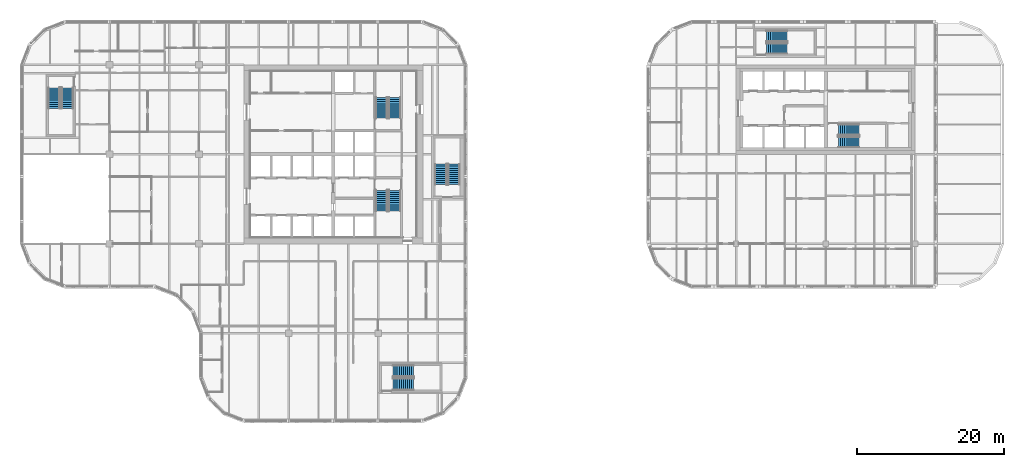
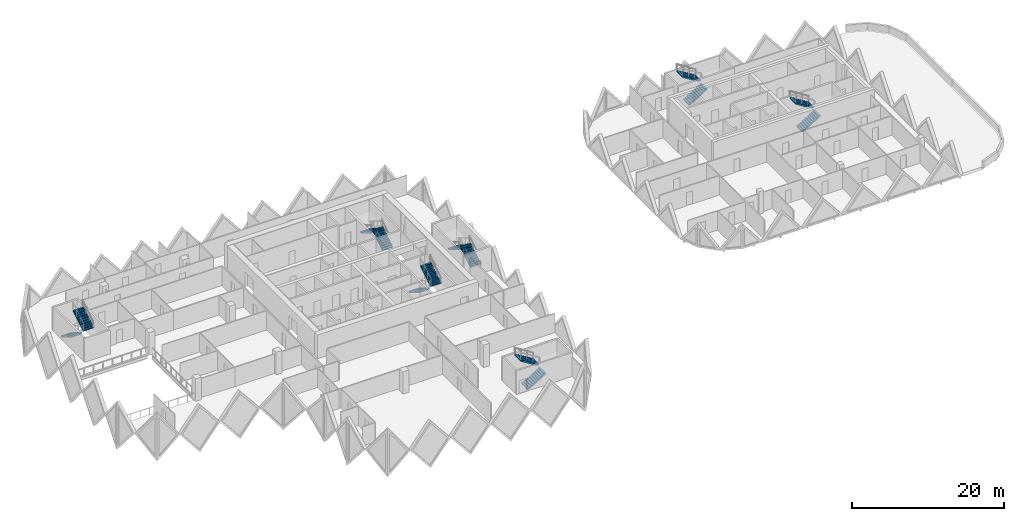
# One storey, part 16 of 18: 14 stair flights, 7 elements without a shape of their own.
"""IFC4 building model written with IfcOpenShell, lengths in metres."""

from ifc_helpers import new_model, si_unit, direction, frame, origin, place, context, subcontext, project, spatial, polyline, outline, extrude, material, type_object, element, aggregate, save


model = new_model("IFC4")

# Units and contexts
model_context = context("Model", 3, precision=1e-05, world=origin(), true_north=direction((0.0, 1.0)))
body_context = subcontext(model_context, "Body", "Model", "MODEL_VIEW")
ifc_project = project(units=[si_unit("LENGTHUNIT", "METRE"), si_unit("AREAUNIT", "SQUARE_METRE"), si_unit("VOLUMEUNIT", "CUBIC_METRE"), si_unit("PLANEANGLEUNIT", "RADIAN"), si_unit("MASSUNIT", "GRAM", prefix="KILO")], contexts=[model_context])

# Site, building, storey
site_placement = place(None, origin())
site = spatial("IfcSite", under=ifc_project, at=site_placement, CompositionType="ELEMENT")
building_placement = place(site_placement, origin())
building = spatial("IfcBuilding", under=site, at=building_placement, Name="Tessera Gate Towers", CompositionType="ELEMENT")
storey_placement = place(building_placement, frame((0.0, 0.0, 95.199951171875)))
storey = spatial("IfcBuildingStorey", under=building, at=storey_placement, Name="L23", CompositionType="ELEMENT", Elevation=95.199951171875)

# Stair, stair flights
ifc_material_1 = material(Name="Concrete C40/50", Category="concrete")
stair_type_1 = type_object("IfcStairType", Name="EXIT STAIR ST1 1600", PredefinedType="HALF_TURN_STAIR", material=ifc_material_1)
stair_1_placement = place(storey_placement, origin())
stair_1 = element("IfcStair", 1, at=stair_1_placement, inside=storey, type_object=stair_type_1, Name="L23 Protected Exit Stair ST1", PredefinedType="HALF_TURN_STAIR")
ifc_material_2 = material(Name="Concrete C40/50", Category="concrete")
stair_flight_type_1 = type_object("IfcStairFlightType", Name="EXIT STAIR FLIGHT ST1 1600", PredefinedType="STRAIGHT", material=ifc_material_2)
stair_flight_1_placement = place(storey_placement, frame((49.27490234375, 31.675048828125, 0.0), z_axis=(0.0, 0.0, 1.0), x_axis=(0.0, -1.0, 0.0)))
stair_flight_1 = element("IfcStairFlight", 2, at=stair_flight_1_placement, type_object=stair_flight_type_1, Name="ST1 flight 1", NumberOfRisers=11, NumberOfTreads=10, PredefinedType="STRAIGHT", RiserHeight=0.172727273, TreadLength=0.28, context=body_context, shape_type="SweptSolid", body=[
    extrude(outline(polyline([(0.0, 0.0), (0.0, 0.172607421875), (0.280029296875, 0.172607421875), (0.280029296875, 0.345458984375), (0.56005859375, 0.345458984375), (0.56005859375, 0.51806640625), (0.840087890625, 0.51806640625), (0.840087890625, 0.69091796875), (1.1201171875, 0.69091796875), (1.1201171875, 0.863525390625), (1.39990234375, 0.863525390625), (1.39990234375, 1.036376953125), (1.679931640625, 1.036376953125), (1.679931640625, 1.208984375), (1.9599609375, 1.208984375), (1.9599609375, 1.3818359375), (2.239990234375, 1.3818359375), (2.239990234375, 1.554443359375), (2.52001953125, 1.554443359375), (2.52001953125, 1.727294921875), (2.800048828125, 1.727294921875), (2.800048828125, 1.89990234375), (2.800048828125, 1.551025390625), (0.285400390625, 0.0), (0.0, 0.0)])), frame((0.0, 0.800048828125, 0.0), z_axis=(0.0, -1.0, 0.0), x_axis=(1.0, 0.0, 0.0)), (0.0, 0.0, 1.0), 1.60009765625),
])
stair_flight_2_placement = place(storey_placement, frame((51.074951171875, 28.875, 1.900146484375), z_axis=(0.0, 0.0, 1.0), x_axis=(0.0, 1.0, 0.0)))
stair_flight_2 = element("IfcStairFlight", 3, at=stair_flight_2_placement, type_object=stair_flight_type_1, Name="ST1 flight 2", NumberOfRisers=11, NumberOfTreads=10, PredefinedType="STRAIGHT", RiserHeight=0.172727273, TreadLength=0.28, context=body_context, shape_type="SweptSolid", body=[
    extrude(outline(polyline([(0.0, 0.0), (0.0, 0.172607421875), (0.280029296875, 0.172607421875), (0.280029296875, 0.345458984375), (0.56005859375, 0.345458984375), (0.56005859375, 0.51806640625), (0.840087890625, 0.51806640625), (0.840087890625, 0.69091796875), (1.1201171875, 0.69091796875), (1.1201171875, 0.863525390625), (1.39990234375, 0.863525390625), (1.39990234375, 1.036376953125), (1.679931640625, 1.036376953125), (1.679931640625, 1.208984375), (1.9599609375, 1.208984375), (1.9599609375, 1.3818359375), (2.239990234375, 1.3818359375), (2.239990234375, 1.554443359375), (2.52001953125, 1.554443359375), (2.52001953125, 1.727294921875), (2.800048828125, 1.727294921875), (2.800048828125, 1.89990234375), (2.800048828125, 1.551025390625), (0.285400390625, 0.0), (0.0, 0.0)])), frame((0.0, 0.800048828125, 0.0), z_axis=(0.0, -1.0, 0.0), x_axis=(1.0, 0.0, 0.0)), (0.0, 0.0, 1.0), 1.60009765625),
])
aggregate(stair_1, [stair_flight_1, stair_flight_2])

ifc_material_3 = material(Name="Concrete C40/50", Category="concrete")
stair_type_2 = type_object("IfcStairType", Name="EXIT STAIR ST2 1600", PredefinedType="HALF_TURN_STAIR", material=ifc_material_3)
stair_2_placement = place(storey_placement, origin())
stair_2 = element("IfcStair", 4, at=stair_2_placement, inside=storey, type_object=stair_type_2, Name="L23 Protected Exit Stair ST2", PredefinedType="HALF_TURN_STAIR")
ifc_material_4 = material(Name="Concrete C40/50", Category="concrete")
stair_flight_type_2 = type_object("IfcStairFlightType", Name="EXIT STAIR FLIGHT ST2 1600", PredefinedType="STRAIGHT", material=ifc_material_4)
stair_flight_3_placement = place(storey_placement, frame((51.074951171875, 41.52490234375, 0.0), z_axis=(0.0, 0.0, 1.0), x_axis=(0.0, 1.0, 0.0)))
stair_flight_3 = element("IfcStairFlight", 5, at=stair_flight_3_placement, type_object=stair_flight_type_2, Name="ST2 flight 1", NumberOfRisers=11, NumberOfTreads=10, PredefinedType="STRAIGHT", RiserHeight=0.172727273, TreadLength=0.28, context=body_context, shape_type="SweptSolid", body=[
    extrude(outline(polyline([(0.0, 0.0), (0.0, 0.172607421875), (0.280029296875, 0.172607421875), (0.280029296875, 0.345458984375), (0.56005859375, 0.345458984375), (0.56005859375, 0.51806640625), (0.840087890625, 0.51806640625), (0.840087890625, 0.69091796875), (1.1201171875, 0.69091796875), (1.1201171875, 0.863525390625), (1.39990234375, 0.863525390625), (1.39990234375, 1.036376953125), (1.679931640625, 1.036376953125), (1.679931640625, 1.208984375), (1.9599609375, 1.208984375), (1.9599609375, 1.3818359375), (2.239990234375, 1.3818359375), (2.239990234375, 1.554443359375), (2.52001953125, 1.554443359375), (2.52001953125, 1.727294921875), (2.800048828125, 1.727294921875), (2.800048828125, 1.89990234375), (2.800048828125, 1.551025390625), (0.285400390625, 0.0), (0.0, 0.0)])), frame((0.0, 0.800048828125, 0.0), z_axis=(0.0, -1.0, 0.0), x_axis=(1.0, 0.0, 0.0)), (0.0, 0.0, 1.0), 1.60009765625),
])
stair_flight_4_placement = place(storey_placement, frame((49.27490234375, 44.324951171875, 1.900146484375), z_axis=(0.0, 0.0, 1.0), x_axis=(0.0, -1.0, 0.0)))
stair_flight_4 = element("IfcStairFlight", 6, at=stair_flight_4_placement, type_object=stair_flight_type_2, Name="ST2 flight 2", NumberOfRisers=11, NumberOfTreads=10, PredefinedType="STRAIGHT", RiserHeight=0.172727273, TreadLength=0.28, context=body_context, shape_type="SweptSolid", body=[
    extrude(outline(polyline([(0.0, 0.0), (0.0, 0.172607421875), (0.280029296875, 0.172607421875), (0.280029296875, 0.345458984375), (0.56005859375, 0.345458984375), (0.56005859375, 0.51806640625), (0.840087890625, 0.51806640625), (0.840087890625, 0.69091796875), (1.1201171875, 0.69091796875), (1.1201171875, 0.863525390625), (1.39990234375, 0.863525390625), (1.39990234375, 1.036376953125), (1.679931640625, 1.036376953125), (1.679931640625, 1.208984375), (1.9599609375, 1.208984375), (1.9599609375, 1.3818359375), (2.239990234375, 1.3818359375), (2.239990234375, 1.554443359375), (2.52001953125, 1.554443359375), (2.52001953125, 1.727294921875), (2.800048828125, 1.727294921875), (2.800048828125, 1.89990234375), (2.800048828125, 1.551025390625), (0.285400390625, 0.0), (0.0, 0.0)])), frame((0.0, 0.800048828125, 0.0), z_axis=(0.0, -1.0, 0.0), x_axis=(1.0, 0.0, 0.0)), (0.0, 0.0, 1.0), 1.60009765625),
])
aggregate(stair_2, [stair_flight_3, stair_flight_4])

ifc_material_5 = material(Name="Concrete C40/50", Category="concrete")
stair_type_3 = type_object("IfcStairType", Name="EXIT STAIR ST3 1600", PredefinedType="HALF_TURN_STAIR", material=ifc_material_5)
stair_3_placement = place(storey_placement, origin())
stair_3 = element("IfcStair", 7, at=stair_3_placement, inside=storey, type_object=stair_type_3, Name="L23 West Exit Stair ST3", PredefinedType="HALF_TURN_STAIR")
ifc_material_6 = material(Name="Concrete C40/50", Category="concrete")
stair_flight_type_3 = type_object("IfcStairFlightType", Name="EXIT STAIR FLIGHT ST3 1600", PredefinedType="STRAIGHT", material=ifc_material_6)
stair_flight_5_placement = place(storey_placement, frame((4.64990234375, 45.64990234375, 0.0), z_axis=(0.0, 0.0, 1.0), x_axis=(0.0, -1.0, 0.0)))
stair_flight_5 = element("IfcStairFlight", 8, at=stair_flight_5_placement, type_object=stair_flight_type_3, Name="ST3 flight 1", NumberOfRisers=11, NumberOfTreads=10, PredefinedType="STRAIGHT", RiserHeight=0.172727273, TreadLength=0.28, context=body_context, shape_type="SweptSolid", body=[
    extrude(outline(polyline([(0.0, 0.0), (0.0, 0.172607421875), (0.280029296875, 0.172607421875), (0.280029296875, 0.345458984375), (0.56005859375, 0.345458984375), (0.56005859375, 0.51806640625), (0.840087890625, 0.51806640625), (0.840087890625, 0.69091796875), (1.1201171875, 0.69091796875), (1.1201171875, 0.863525390625), (1.39990234375, 0.863525390625), (1.39990234375, 1.036376953125), (1.679931640625, 1.036376953125), (1.679931640625, 1.208984375), (1.9599609375, 1.208984375), (1.9599609375, 1.3818359375), (2.239990234375, 1.3818359375), (2.239990234375, 1.554443359375), (2.52001953125, 1.554443359375), (2.52001953125, 1.727294921875), (2.800048828125, 1.727294921875), (2.800048828125, 1.89990234375), (2.800048828125, 1.551025390625), (0.285400390625, 0.0), (0.0, 0.0)])), frame((0.0, 0.800048828125, 0.0), z_axis=(0.0, -1.0, 0.0), x_axis=(1.0, 0.0, 0.0)), (0.0, 0.0, 1.0), 1.60009765625),
])
stair_flight_6_placement = place(storey_placement, frame((6.449951171875, 42.85009765625, 1.900146484375), z_axis=(0.0, 0.0, 1.0), x_axis=(0.0, 1.0, 0.0)))
stair_flight_6 = element("IfcStairFlight", 9, at=stair_flight_6_placement, type_object=stair_flight_type_3, Name="ST3 flight 2", NumberOfRisers=11, NumberOfTreads=10, PredefinedType="STRAIGHT", RiserHeight=0.172727273, TreadLength=0.28, context=body_context, shape_type="SweptSolid", body=[
    extrude(outline(polyline([(0.0, 0.0), (0.0, 0.172607421875), (0.280029296875, 0.172607421875), (0.280029296875, 0.345458984375), (0.56005859375, 0.345458984375), (0.56005859375, 0.51806640625), (0.840087890625, 0.51806640625), (0.840087890625, 0.69091796875), (1.1201171875, 0.69091796875), (1.1201171875, 0.863525390625), (1.39990234375, 0.863525390625), (1.39990234375, 1.036376953125), (1.679931640625, 1.036376953125), (1.679931640625, 1.208984375), (1.9599609375, 1.208984375), (1.9599609375, 1.3818359375), (2.239990234375, 1.3818359375), (2.239990234375, 1.554443359375), (2.52001953125, 1.554443359375), (2.52001953125, 1.727294921875), (2.800048828125, 1.727294921875), (2.800048828125, 1.89990234375), (2.800048828125, 1.551025390625), (0.285400390625, 0.0), (0.0, 0.0)])), frame((0.0, 0.800048828125, 0.0), z_axis=(0.0, -1.0, 0.0), x_axis=(1.0, 0.0, 0.0)), (0.0, 0.0, 1.0), 1.60009765625),
])
aggregate(stair_3, [stair_flight_5, stair_flight_6])

ifc_material_7 = material(Name="Concrete C40/50", Category="concrete")
stair_type_4 = type_object("IfcStairType", Name="EXIT STAIR ST4 1600", PredefinedType="HALF_TURN_STAIR", material=ifc_material_7)
stair_4_placement = place(storey_placement, origin())
stair_4 = element("IfcStair", 10, at=stair_4_placement, inside=storey, type_object=stair_type_4, Name="L23 South Exit Stair ST4", PredefinedType="HALF_TURN_STAIR")
ifc_material_8 = material(Name="Concrete C40/50", Category="concrete")
stair_flight_type_4 = type_object("IfcStairFlightType", Name="EXIT STAIR FLIGHT ST4 1600", PredefinedType="STRAIGHT", material=ifc_material_8)
stair_flight_7_placement = place(storey_placement, frame((50.85009765625, 5.25, 0.0), z_axis=(0.0, 0.0, 1.0), x_axis=(1.0, 0.0, 0.0)))
stair_flight_7 = element("IfcStairFlight", 11, at=stair_flight_7_placement, type_object=stair_flight_type_4, Name="ST4 flight 1", NumberOfRisers=11, NumberOfTreads=10, PredefinedType="STRAIGHT", RiserHeight=0.172727273, TreadLength=0.28, context=body_context, shape_type="SweptSolid", body=[
    extrude(outline(polyline([(0.0, 0.0), (0.0, 0.172607421875), (0.280029296875, 0.172607421875), (0.280029296875, 0.345458984375), (0.56005859375, 0.345458984375), (0.56005859375, 0.51806640625), (0.840087890625, 0.51806640625), (0.840087890625, 0.69091796875), (1.1201171875, 0.69091796875), (1.1201171875, 0.863525390625), (1.39990234375, 0.863525390625), (1.39990234375, 1.036376953125), (1.679931640625, 1.036376953125), (1.679931640625, 1.208984375), (1.9599609375, 1.208984375), (1.9599609375, 1.3818359375), (2.239990234375, 1.3818359375), (2.239990234375, 1.554443359375), (2.52001953125, 1.554443359375), (2.52001953125, 1.727294921875), (2.800048828125, 1.727294921875), (2.800048828125, 1.89990234375), (2.800048828125, 1.551025390625), (0.285400390625, 0.0), (0.0, 0.0)])), frame((0.0, 0.800048828125, 0.0), z_axis=(0.0, -1.0, 0.0), x_axis=(1.0, 0.0, 0.0)), (0.0, 0.0, 1.0), 1.60009765625),
])
stair_flight_8_placement = place(storey_placement, frame((53.64990234375, 7.050048828125, 1.900146484375), z_axis=(0.0, 0.0, 1.0), x_axis=(-1.0, 0.0, 0.0)))
stair_flight_8 = element("IfcStairFlight", 12, at=stair_flight_8_placement, type_object=stair_flight_type_4, Name="ST4 flight 2", NumberOfRisers=11, NumberOfTreads=10, PredefinedType="STRAIGHT", RiserHeight=0.172727273, TreadLength=0.28, context=body_context, shape_type="SweptSolid", body=[
    extrude(outline(polyline([(0.0, 0.0), (0.0, 0.172607421875), (0.280029296875, 0.172607421875), (0.280029296875, 0.345458984375), (0.56005859375, 0.345458984375), (0.56005859375, 0.51806640625), (0.840087890625, 0.51806640625), (0.840087890625, 0.69091796875), (1.1201171875, 0.69091796875), (1.1201171875, 0.863525390625), (1.39990234375, 0.863525390625), (1.39990234375, 1.036376953125), (1.679931640625, 1.036376953125), (1.679931640625, 1.208984375), (1.9599609375, 1.208984375), (1.9599609375, 1.3818359375), (2.239990234375, 1.3818359375), (2.239990234375, 1.554443359375), (2.52001953125, 1.554443359375), (2.52001953125, 1.727294921875), (2.800048828125, 1.727294921875), (2.800048828125, 1.89990234375), (2.800048828125, 1.551025390625), (0.285400390625, 0.0), (0.0, 0.0)])), frame((0.0, 0.800048828125, 0.0), z_axis=(0.0, -1.0, 0.0), x_axis=(1.0, 0.0, 0.0)), (0.0, 0.0, 1.0), 1.60009765625),
])
aggregate(stair_4, [stair_flight_7, stair_flight_8])

ifc_material_9 = material(Name="Concrete C40/50", Category="concrete")
stair_type_5 = type_object("IfcStairType", Name="EXIT STAIR ST5 1600", PredefinedType="HALF_TURN_STAIR", material=ifc_material_9)
stair_5_placement = place(storey_placement, origin())
stair_5 = element("IfcStair", 13, at=stair_5_placement, inside=storey, type_object=stair_type_5, Name="L23 East Exit Stair ST5", PredefinedType="HALF_TURN_STAIR")
ifc_material_10 = material(Name="Concrete C40/50", Category="concrete")
stair_flight_type_5 = type_object("IfcStairFlightType", Name="EXIT STAIR FLIGHT ST5 1600", PredefinedType="STRAIGHT", material=ifc_material_10)
stair_flight_9_placement = place(storey_placement, frame((59.14990234375, 32.449951171875, 0.0), z_axis=(0.0, 0.0, 1.0), x_axis=(0.0, 1.0, 0.0)))
stair_flight_9 = element("IfcStairFlight", 14, at=stair_flight_9_placement, type_object=stair_flight_type_5, Name="ST5 flight 1", NumberOfRisers=11, NumberOfTreads=10, PredefinedType="STRAIGHT", RiserHeight=0.172727273, TreadLength=0.28, context=body_context, shape_type="SweptSolid", body=[
    extrude(outline(polyline([(0.0, 0.0), (0.0, 0.172607421875), (0.280029296875, 0.172607421875), (0.280029296875, 0.345458984375), (0.56005859375, 0.345458984375), (0.56005859375, 0.51806640625), (0.840087890625, 0.51806640625), (0.840087890625, 0.69091796875), (1.1201171875, 0.69091796875), (1.1201171875, 0.863525390625), (1.39990234375, 0.863525390625), (1.39990234375, 1.036376953125), (1.679931640625, 1.036376953125), (1.679931640625, 1.208984375), (1.9599609375, 1.208984375), (1.9599609375, 1.3818359375), (2.239990234375, 1.3818359375), (2.239990234375, 1.554443359375), (2.52001953125, 1.554443359375), (2.52001953125, 1.727294921875), (2.800048828125, 1.727294921875), (2.800048828125, 1.89990234375), (2.800048828125, 1.551025390625), (0.285400390625, 0.0), (0.0, 0.0)])), frame((0.0, 0.800048828125, 0.0), z_axis=(0.0, -1.0, 0.0), x_axis=(1.0, 0.0, 0.0)), (0.0, 0.0, 1.0), 1.60009765625),
])
stair_flight_10_placement = place(storey_placement, frame((57.35009765625, 35.25, 1.900146484375), z_axis=(0.0, 0.0, 1.0), x_axis=(0.0, -1.0, 0.0)))
stair_flight_10 = element("IfcStairFlight", 15, at=stair_flight_10_placement, type_object=stair_flight_type_5, Name="ST5 flight 2", NumberOfRisers=11, NumberOfTreads=10, PredefinedType="STRAIGHT", RiserHeight=0.172727273, TreadLength=0.28, context=body_context, shape_type="SweptSolid", body=[
    extrude(outline(polyline([(0.0, 0.0), (0.0, 0.172607421875), (0.280029296875, 0.172607421875), (0.280029296875, 0.345458984375), (0.56005859375, 0.345458984375), (0.56005859375, 0.51806640625), (0.840087890625, 0.51806640625), (0.840087890625, 0.69091796875), (1.1201171875, 0.69091796875), (1.1201171875, 0.863525390625), (1.39990234375, 0.863525390625), (1.39990234375, 1.036376953125), (1.679931640625, 1.036376953125), (1.679931640625, 1.208984375), (1.9599609375, 1.208984375), (1.9599609375, 1.3818359375), (2.239990234375, 1.3818359375), (2.239990234375, 1.554443359375), (2.52001953125, 1.554443359375), (2.52001953125, 1.727294921875), (2.800048828125, 1.727294921875), (2.800048828125, 1.89990234375), (2.800048828125, 1.551025390625), (0.285400390625, 0.0), (0.0, 0.0)])), frame((0.0, 0.800048828125, 0.0), z_axis=(0.0, -1.0, 0.0), x_axis=(1.0, 0.0, 0.0)), (0.0, 0.0, 1.0), 1.60009765625),
])
aggregate(stair_5, [stair_flight_9, stair_flight_10])

ifc_material_11 = material(Name="Concrete C40/50", Category="concrete")
stair_type_6 = type_object("IfcStairType", Name="EXIT STAIR ST6 1500", PredefinedType="HALF_TURN_STAIR", material=ifc_material_11)
stair_6_placement = place(storey_placement, origin())
stair_6 = element("IfcStair", 16, at=stair_6_placement, inside=storey, type_object=stair_type_6, Name="L23 Protected Exit Stair ST6", PredefinedType="HALF_TURN_STAIR")
ifc_material_12 = material(Name="Concrete C40/50", Category="concrete")
stair_flight_type_6 = type_object("IfcStairFlightType", Name="EXIT STAIR FLIGHT ST6 1500", PredefinedType="STRAIGHT", material=ifc_material_12)
stair_flight_11_placement = place(storey_placement, frame((111.550048828125, 38.25, 0.0), z_axis=(0.0, 0.0, 1.0), x_axis=(1.0, 0.0, 0.0)))
stair_flight_11 = element("IfcStairFlight", 17, at=stair_flight_11_placement, type_object=stair_flight_type_6, Name="ST6 flight 1", NumberOfRisers=11, NumberOfTreads=10, PredefinedType="STRAIGHT", RiserHeight=0.172727273, TreadLength=0.28, context=body_context, shape_type="SweptSolid", body=[
    extrude(outline(polyline([(0.0, 0.0), (0.0, 0.172607421875), (0.280029296875, 0.172607421875), (0.280029296875, 0.345458984375), (0.56005859375, 0.345458984375), (0.56005859375, 0.51806640625), (0.840087890625, 0.51806640625), (0.840087890625, 0.69091796875), (1.1201171875, 0.69091796875), (1.1201171875, 0.863525390625), (1.39990234375, 0.863525390625), (1.39990234375, 1.036376953125), (1.679931640625, 1.036376953125), (1.679931640625, 1.208984375), (1.9599609375, 1.208984375), (1.9599609375, 1.3818359375), (2.239990234375, 1.3818359375), (2.239990234375, 1.554443359375), (2.52001953125, 1.554443359375), (2.52001953125, 1.727294921875), (2.800048828125, 1.727294921875), (2.800048828125, 1.89990234375), (2.800048828125, 1.551025390625), (0.285400390625, 0.0), (0.0, 0.0)])), frame((0.0, 0.75, 0.0), z_axis=(0.0, -1.0, 0.0), x_axis=(1.0, 0.0, 0.0)), (0.0, 0.0, 1.0), 1.5),
])
stair_flight_12_placement = place(storey_placement, frame((114.35009765625, 39.949951171875, 1.900146484375), z_axis=(0.0, 0.0, 1.0), x_axis=(-1.0, 0.0, 0.0)))
stair_flight_12 = element("IfcStairFlight", 18, at=stair_flight_12_placement, type_object=stair_flight_type_6, Name="ST6 flight 2", NumberOfRisers=11, NumberOfTreads=10, PredefinedType="STRAIGHT", RiserHeight=0.172727273, TreadLength=0.28, context=body_context, shape_type="SweptSolid", body=[
    extrude(outline(polyline([(0.0, 0.0), (0.0, 0.172607421875), (0.280029296875, 0.172607421875), (0.280029296875, 0.345458984375), (0.56005859375, 0.345458984375), (0.56005859375, 0.51806640625), (0.840087890625, 0.51806640625), (0.840087890625, 0.69091796875), (1.1201171875, 0.69091796875), (1.1201171875, 0.863525390625), (1.39990234375, 0.863525390625), (1.39990234375, 1.036376953125), (1.679931640625, 1.036376953125), (1.679931640625, 1.208984375), (1.9599609375, 1.208984375), (1.9599609375, 1.3818359375), (2.239990234375, 1.3818359375), (2.239990234375, 1.554443359375), (2.52001953125, 1.554443359375), (2.52001953125, 1.727294921875), (2.800048828125, 1.727294921875), (2.800048828125, 1.89990234375), (2.800048828125, 1.551025390625), (0.285400390625, 0.0), (0.0, 0.0)])), frame((0.0, 0.75, 0.0), z_axis=(0.0, -1.0, 0.0), x_axis=(1.0, 0.0, 0.0)), (0.0, 0.0, 1.0), 1.5),
])
aggregate(stair_6, [stair_flight_11, stair_flight_12])

ifc_material_13 = material(Name="Concrete C40/50", Category="concrete")
stair_type_7 = type_object("IfcStairType", Name="EXIT STAIR ST7 1500", PredefinedType="HALF_TURN_STAIR", material=ifc_material_13)
stair_7_placement = place(storey_placement, origin())
stair_7 = element("IfcStair", 19, at=stair_7_placement, inside=storey, type_object=stair_type_7, Name="L23 North Exit Stair ST7", PredefinedType="HALF_TURN_STAIR")
ifc_material_14 = material(Name="Concrete C40/50", Category="concrete")
stair_flight_type_7 = type_object("IfcStairFlightType", Name="EXIT STAIR FLIGHT ST7 1500", PredefinedType="STRAIGHT", material=ifc_material_14)
stair_flight_13_placement = place(storey_placement, frame((101.75, 51.0, 0.0), z_axis=(0.0, 0.0, 1.0), x_axis=(1.0, 0.0, 0.0)))
stair_flight_13 = element("IfcStairFlight", 20, at=stair_flight_13_placement, type_object=stair_flight_type_7, Name="ST7 flight 1", NumberOfRisers=11, NumberOfTreads=10, PredefinedType="STRAIGHT", RiserHeight=0.172727273, TreadLength=0.28, context=body_context, shape_type="SweptSolid", body=[
    extrude(outline(polyline([(0.0, 0.0), (0.0, 0.172607421875), (0.280029296875, 0.172607421875), (0.280029296875, 0.345458984375), (0.56005859375, 0.345458984375), (0.56005859375, 0.51806640625), (0.840087890625, 0.51806640625), (0.840087890625, 0.69091796875), (1.1201171875, 0.69091796875), (1.1201171875, 0.863525390625), (1.39990234375, 0.863525390625), (1.39990234375, 1.036376953125), (1.679931640625, 1.036376953125), (1.679931640625, 1.208984375), (1.9599609375, 1.208984375), (1.9599609375, 1.3818359375), (2.239990234375, 1.3818359375), (2.239990234375, 1.554443359375), (2.52001953125, 1.554443359375), (2.52001953125, 1.727294921875), (2.800048828125, 1.727294921875), (2.800048828125, 1.89990234375), (2.800048828125, 1.551025390625), (0.285400390625, 0.0), (0.0, 0.0)])), frame((0.0, 0.75, 0.0), z_axis=(0.0, -1.0, 0.0), x_axis=(1.0, 0.0, 0.0)), (0.0, 0.0, 1.0), 1.5),
])
stair_flight_14_placement = place(storey_placement, frame((104.550048828125, 52.699951171875, 1.900146484375), z_axis=(0.0, 0.0, 1.0), x_axis=(-1.0, 0.0, 0.0)))
stair_flight_14 = element("IfcStairFlight", 21, at=stair_flight_14_placement, type_object=stair_flight_type_7, Name="ST7 flight 2", NumberOfRisers=11, NumberOfTreads=10, PredefinedType="STRAIGHT", RiserHeight=0.172727273, TreadLength=0.28, context=body_context, shape_type="SweptSolid", body=[
    extrude(outline(polyline([(0.0, 0.0), (0.0, 0.172607421875), (0.280029296875, 0.172607421875), (0.280029296875, 0.345458984375), (0.56005859375, 0.345458984375), (0.56005859375, 0.51806640625), (0.840087890625, 0.51806640625), (0.840087890625, 0.69091796875), (1.1201171875, 0.69091796875), (1.1201171875, 0.863525390625), (1.39990234375, 0.863525390625), (1.39990234375, 1.036376953125), (1.679931640625, 1.036376953125), (1.679931640625, 1.208984375), (1.9599609375, 1.208984375), (1.9599609375, 1.3818359375), (2.239990234375, 1.3818359375), (2.239990234375, 1.554443359375), (2.52001953125, 1.554443359375), (2.52001953125, 1.727294921875), (2.800048828125, 1.727294921875), (2.800048828125, 1.89990234375), (2.800048828125, 1.551025390625), (0.285400390625, 0.0), (0.0, 0.0)])), frame((0.0, 0.75, 0.0), z_axis=(0.0, -1.0, 0.0), x_axis=(1.0, 0.0, 0.0)), (0.0, 0.0, 1.0), 1.5),
])
aggregate(stair_7, [stair_flight_13, stair_flight_14])

save(model, "model.ifc")
